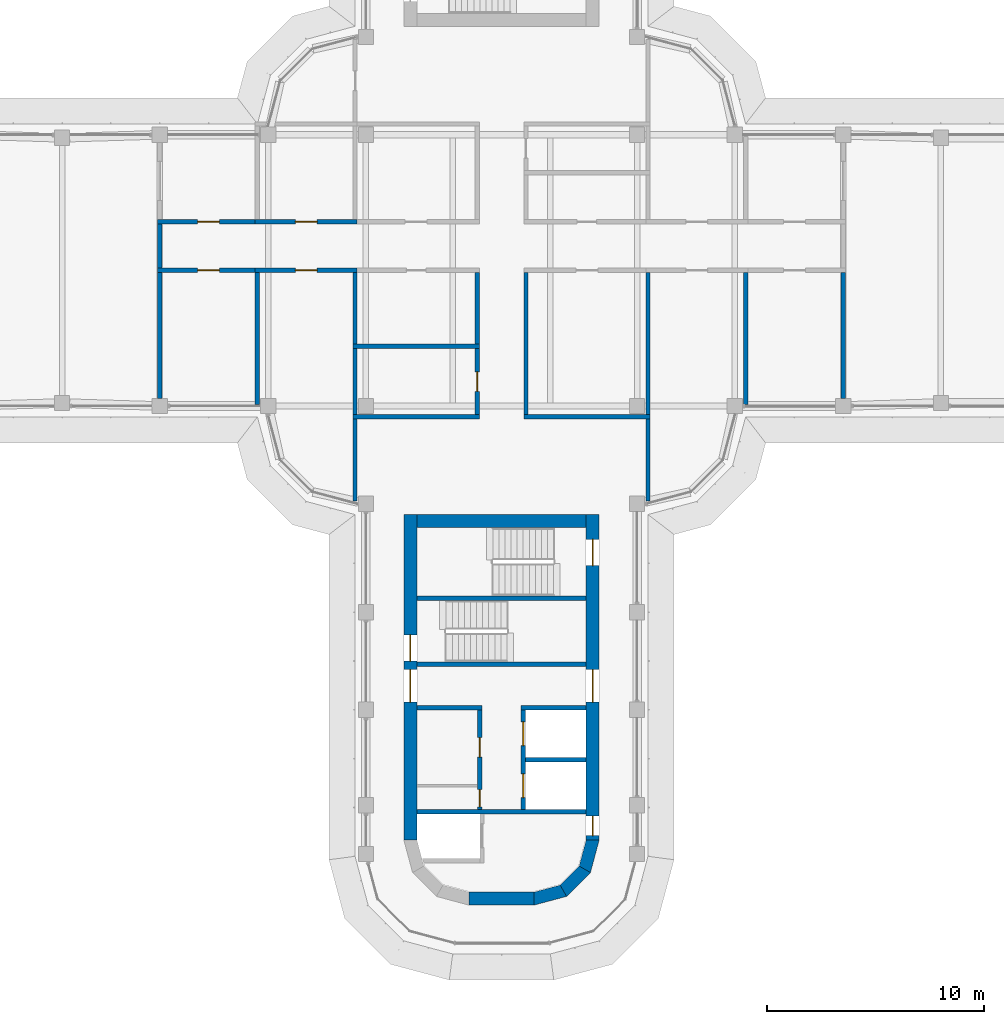
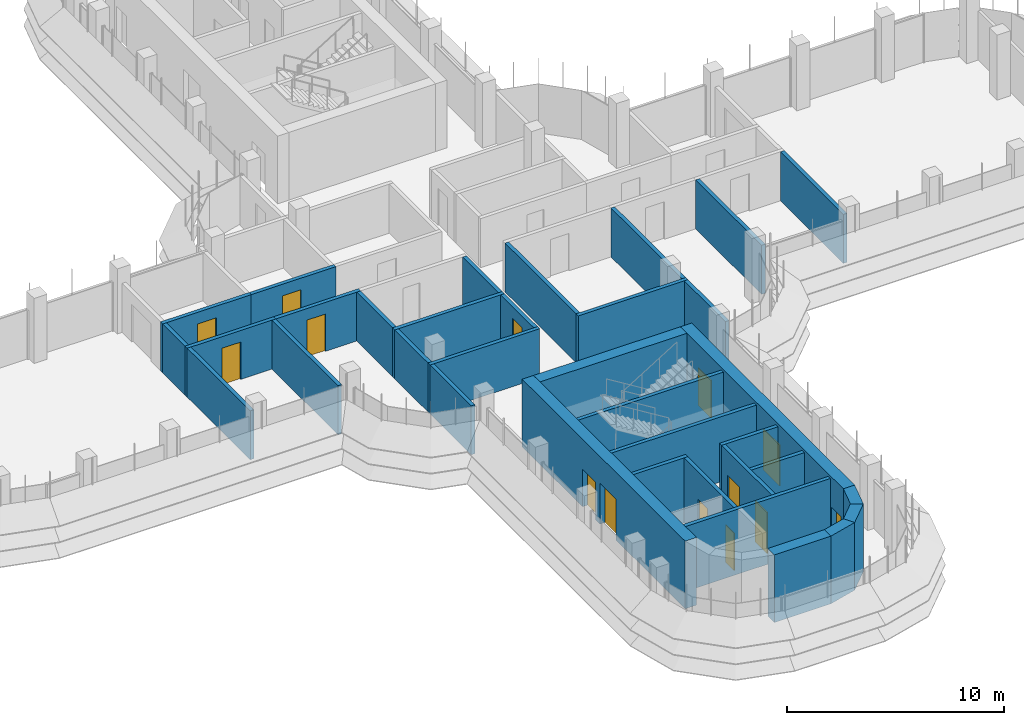
# One storey, part 13 of 18: 35 walls, 14 doors, 14 openings.
"""IFC4 building model written with IfcOpenShell, lengths in metres."""

from ifc_helpers import new_model, si_unit, direction, frame, frame_2d, origin, place, context, subcontext, project, spatial, polyline, rectangle, outline, extrude, material, layer, layer_set, type_object, element, fill, save


model = new_model("IFC4")

# Units and contexts
model_context = context("Model", 3, precision=1e-05, world=origin(), true_north=direction((0.0, 1.0)))
body_context = subcontext(model_context, "Body", "Model", "MODEL_VIEW")
ifc_project = project(units=[si_unit("LENGTHUNIT", "METRE"), si_unit("AREAUNIT", "SQUARE_METRE"), si_unit("VOLUMEUNIT", "CUBIC_METRE"), si_unit("PLANEANGLEUNIT", "RADIAN"), si_unit("MASSUNIT", "GRAM", prefix="KILO")], contexts=[model_context])

# Site, building, storey
site_placement = place(None, origin())
site = spatial("IfcSite", under=ifc_project, at=site_placement, CompositionType="ELEMENT")
building_placement = place(site_placement, origin())
building = spatial("IfcBuilding", under=site, at=building_placement, Name="Zarbagh Exchange Tower", CompositionType="ELEMENT")
storey_placement = place(building_placement, frame((0.0, 0.0, 210.60009765625)))
storey = spatial("IfcBuildingStorey", under=building, at=storey_placement, Name="L51", CompositionType="ELEMENT", Elevation=210.60009765625)

# Wall, opening, door
ifc_material_1 = material(Name="Fire-rated plasterboard partition")
ifc_layer_1 = layer(ifc_material_1, 0.199951171875)
ifc_layer_set_1 = layer_set([ifc_layer_1], Name="RATED PARTITION 200")
wall_type_1 = type_object("IfcWallType", Name="RATED PARTITION 200", PredefinedType="PARTITIONING", material=ifc_layer_set_1)
wall_1_placement = place(storey_placement, frame((-11.35009765625, 2.25, 0.0), z_axis=(0.0, 0.0, 1.0), x_axis=(1.0, 0.0, 0.0)))
wall_1 = element("IfcWall", 1, at=wall_1_placement, inside=storey, type_object=wall_type_1, Name="Partition W-2204", PredefinedType="PARTITIONING", context=body_context, shape_type="SweptSolid", body=[
    extrude(rectangle(XDim=4.7001953125, YDim=0.199951171875, at=frame_2d((2.35009765625, 0.0))), origin(), (0.0, 0.0, 1.0), 2.75),
])
opening_1_placement = place(wall_1_placement, frame((1.85009765625, 0.0, 0.0)))
opening_1 = element("IfcOpeningElement", 2, at=opening_1_placement, cuts=wall_1, Name="Opening D-2209", PredefinedType="OPENING", context=body_context, shape_type="SweptSolid", body=[
    extrude(rectangle(XDim=1.0, YDim=2.10009765625, at=frame_2d((0.5, 1.050048828125))), frame((0.0, 0.10986328125, 0.0), z_axis=(0.0, -1.0, 0.0), x_axis=(1.0, 0.0, 0.0)), (0.0, 0.0, 1.0), 0.219970703125),
])
ifc_material_2 = material(Name="Steel door set", Category="steel")
door_type_1 = type_object("IfcDoorType", Name="FIRE DOOR 1000 X 2100 FD30S", OperationType="NOTDEFINED", PredefinedType="DOOR", material=ifc_material_2)
door_1_placement = place(opening_1_placement, origin())
door_1 = element("IfcDoor", 3, at=door_1_placement, inside=storey, type_object=door_type_1, Name="Door D-2209", OperationType="SINGLE_SWING_RIGHT", OverallHeight=2.10009765625, OverallWidth=1.0, PredefinedType="DOOR", context=body_context, shape_type="SweptSolid", body=[
    extrude(rectangle(XDim=1.0, YDim=2.10009765625, at=frame_2d((0.5, 1.050048828125))), frame((0.0, 0.02490234375, 0.0), z_axis=(0.0, -1.0, 0.0), x_axis=(1.0, 0.0, 0.0)), (0.0, 0.0, 1.0), 0.050048828125),
])
fill(opening_1, door_1)

wall_2_placement = place(storey_placement, frame((-6.64990234375, 0.0, 0.0), z_axis=(0.0, 0.0, 1.0), x_axis=(-1.0, 0.0, 0.0)))
wall_2 = element("IfcWall", 4, at=wall_2_placement, inside=storey, type_object=wall_type_1, Name="Partition W-2208", PredefinedType="PARTITIONING", context=body_context, shape_type="SweptSolid", body=[
    extrude(rectangle(XDim=4.7001953125, YDim=0.199951171875, at=frame_2d((2.35009765625, 0.0))), origin(), (0.0, 0.0, 1.0), 2.75),
])
opening_2_placement = place(wall_2_placement, frame((1.85009765625, 0.0, 0.0)))
opening_2 = element("IfcOpeningElement", 5, at=opening_2_placement, cuts=wall_2, Name="Opening D-2215", PredefinedType="OPENING", context=body_context, shape_type="SweptSolid", body=[
    extrude(rectangle(XDim=1.0, YDim=2.10009765625, at=frame_2d((0.5, 1.050048828125))), frame((0.0, 0.10986328125, 0.0), z_axis=(0.0, -1.0, 0.0), x_axis=(1.0, 0.0, 0.0)), (0.0, 0.0, 1.0), 0.219970703125),
])
door_2_placement = place(opening_2_placement, origin())
door_2 = element("IfcDoor", 6, at=door_2_placement, inside=storey, type_object=door_type_1, Name="Door D-2215", OperationType="SINGLE_SWING_RIGHT", OverallHeight=2.10009765625, OverallWidth=1.0, PredefinedType="DOOR", context=body_context, shape_type="SweptSolid", body=[
    extrude(rectangle(XDim=1.0, YDim=2.10009765625, at=frame_2d((0.5, 1.050048828125))), frame((0.0, 0.02490234375, 0.0), z_axis=(0.0, -1.0, 0.0), x_axis=(1.0, 0.0, 0.0)), (0.0, 0.0, 1.0), 0.050048828125),
])
fill(opening_2, door_2)

wall_3_placement = place(storey_placement, frame((-15.85009765625, 2.25, 0.0), z_axis=(0.0, 0.0, 1.0), x_axis=(1.0, 0.0, 0.0)))
wall_3 = element("IfcWall", 7, at=wall_3_placement, inside=storey, type_object=wall_type_1, Name="Partition W-2212", PredefinedType="PARTITIONING", context=body_context, shape_type="SweptSolid", body=[
    extrude(rectangle(XDim=4.7001953125, YDim=0.199951171875, at=frame_2d((2.35009765625, 0.0))), origin(), (0.0, 0.0, 1.0), 2.75),
])
opening_3_placement = place(wall_3_placement, frame((1.85009765625, 0.0, 0.0)))
opening_3 = element("IfcOpeningElement", 8, at=opening_3_placement, cuts=wall_3, Name="Opening D-2217", PredefinedType="OPENING", context=body_context, shape_type="SweptSolid", body=[
    extrude(rectangle(XDim=1.0, YDim=2.10009765625, at=frame_2d((0.5, 1.050048828125))), frame((0.0, 0.10986328125, 0.0), z_axis=(0.0, -1.0, 0.0), x_axis=(1.0, 0.0, 0.0)), (0.0, 0.0, 1.0), 0.219970703125),
])
door_3_placement = place(opening_3_placement, origin())
door_3 = element("IfcDoor", 9, at=door_3_placement, inside=storey, type_object=door_type_1, Name="Door D-2217", OperationType="SINGLE_SWING_RIGHT", OverallHeight=2.10009765625, OverallWidth=1.0, PredefinedType="DOOR", context=body_context, shape_type="SweptSolid", body=[
    extrude(rectangle(XDim=1.0, YDim=2.10009765625, at=frame_2d((0.5, 1.050048828125))), frame((0.0, 0.02490234375, 0.0), z_axis=(0.0, -1.0, 0.0), x_axis=(1.0, 0.0, 0.0)), (0.0, 0.0, 1.0), 0.050048828125),
])
fill(opening_3, door_3)

wall_4_placement = place(storey_placement, frame((-11.14990234375, 0.0, 0.0), z_axis=(0.0, 0.0, 1.0), x_axis=(-1.0, 0.0, 0.0)))
wall_4 = element("IfcWall", 10, at=wall_4_placement, inside=storey, type_object=wall_type_1, Name="Partition W-2213", PredefinedType="PARTITIONING", context=body_context, shape_type="SweptSolid", body=[
    extrude(rectangle(XDim=4.7001953125, YDim=0.199951171875, at=frame_2d((2.35009765625, 0.0))), origin(), (0.0, 0.0, 1.0), 2.75),
])
opening_4_placement = place(wall_4_placement, frame((1.85009765625, 0.0, 0.0)))
opening_4 = element("IfcOpeningElement", 11, at=opening_4_placement, cuts=wall_4, Name="Opening D-2218", PredefinedType="OPENING", context=body_context, shape_type="SweptSolid", body=[
    extrude(rectangle(XDim=1.0, YDim=2.10009765625, at=frame_2d((0.5, 1.050048828125))), frame((0.0, 0.10986328125, 0.0), z_axis=(0.0, -1.0, 0.0), x_axis=(1.0, 0.0, 0.0)), (0.0, 0.0, 1.0), 0.219970703125),
])
door_4_placement = place(opening_4_placement, origin())
door_4 = element("IfcDoor", 12, at=door_4_placement, inside=storey, type_object=door_type_1, Name="Door D-2218", OperationType="SINGLE_SWING_RIGHT", OverallHeight=2.10009765625, OverallWidth=1.0, PredefinedType="DOOR", context=body_context, shape_type="SweptSolid", body=[
    extrude(rectangle(XDim=1.0, YDim=2.10009765625, at=frame_2d((0.5, 1.050048828125))), frame((0.0, 0.02490234375, 0.0), z_axis=(0.0, -1.0, 0.0), x_axis=(1.0, 0.0, 0.0)), (0.0, 0.0, 1.0), 0.050048828125),
])
fill(opening_4, door_4)

# Walls
wall_5_placement = place(storey_placement, frame((-15.75, 0.10009765625, 0.0), z_axis=(0.0, 0.0, 1.0), x_axis=(0.0, 1.0, 0.0)))
element("IfcWall", 13, at=wall_5_placement, inside=storey, type_object=wall_type_1, Name="Partition W-2214", PredefinedType="PARTITIONING", context=body_context, shape_type="SweptSolid", body=[
    extrude(rectangle(XDim=2.0498046875, YDim=0.199951171875, at=frame_2d((1.02490234375, 0.0))), origin(), (0.0, 0.0, 1.0), 2.75),
])
wall_6_placement = place(storey_placement, frame((1.125, -6.64990234375, 0.0), z_axis=(0.0, 0.0, 1.0), x_axis=(0.0, 1.0, 0.0)))
element("IfcWall", 14, at=wall_6_placement, inside=storey, type_object=wall_type_1, Name="Partition W-2218", PredefinedType="PARTITIONING", context=body_context, shape_type="SweptSolid", body=[
    extrude(rectangle(XDim=6.5498046875, YDim=0.199951171875, at=frame_2d((3.27490234375, 0.0))), origin(), (0.0, 0.0, 1.0), 2.75),
])
wall_7_placement = place(storey_placement, frame((-1.125, -3.39990234375, 0.0), z_axis=(0.0, 0.0, 1.0), x_axis=(0.0, 1.0, 0.0)))
element("IfcWall", 15, at=wall_7_placement, inside=storey, type_object=wall_type_1, Name="Partition W-2219", PredefinedType="PARTITIONING", context=body_context, shape_type="SweptSolid", body=[
    extrude(rectangle(XDim=3.2998046875, YDim=0.199951171875, at=frame_2d((1.64990234375, 0.0))), origin(), (0.0, 0.0, 1.0), 2.75),
])

# Wall, opening, door
wall_8_placement = place(storey_placement, frame((-1.125, -6.64990234375, 0.0), z_axis=(0.0, 0.0, 1.0), x_axis=(0.0, 1.0, 0.0)))
wall_8 = element("IfcWall", 16, at=wall_8_placement, inside=storey, type_object=wall_type_1, Name="Partition W-2220", PredefinedType="PARTITIONING", context=body_context, shape_type="SweptSolid", body=[
    extrude(rectangle(XDim=3.0498046875, YDim=0.199951171875, at=frame_2d((1.52490234375, 0.0))), origin(), (0.0, 0.0, 1.0), 2.75),
])
opening_5_placement = place(wall_8_placement, frame((1.074951171875, 0.0, 0.0)))
opening_5 = element("IfcOpeningElement", 17, at=opening_5_placement, cuts=wall_8, Name="Opening D-2214", PredefinedType="OPENING", context=body_context, shape_type="SweptSolid", body=[
    extrude(rectangle(XDim=0.89990234375, YDim=2.10009765625, at=frame_2d((0.449951171875, 1.050048828125))), frame((0.0, 0.10986328125, 0.0), z_axis=(0.0, -1.0, 0.0), x_axis=(1.0, 0.0, 0.0)), (0.0, 0.0, 1.0), 0.219970703125),
])
ifc_material_3 = material(Name="Timber door leaf", Category="wood")
door_type_2 = type_object("IfcDoorType", Name="DOOR 900 X 2100", OperationType="NOTDEFINED", PredefinedType="DOOR", material=ifc_material_3)
door_5_placement = place(opening_5_placement, origin())
door_5 = element("IfcDoor", 18, at=door_5_placement, inside=storey, type_object=door_type_2, Name="Door D-2214", OperationType="SINGLE_SWING_RIGHT", OverallHeight=2.10009765625, OverallWidth=0.89990234375, PredefinedType="DOOR", context=body_context, shape_type="SweptSolid", body=[
    extrude(rectangle(XDim=0.89990234375, YDim=2.10009765625, at=frame_2d((0.449951171875, 1.050048828125))), frame((0.0, 0.02490234375, 0.0), z_axis=(0.0, -1.0, 0.0), x_axis=(1.0, 0.0, 0.0)), (0.0, 0.0, 1.0), 0.050048828125),
])
fill(opening_5, door_5)

# Walls
wall_9_placement = place(storey_placement, frame((1.02490234375, -6.75, 0.0), z_axis=(0.0, 0.0, 1.0), x_axis=(1.0, 0.0, 0.0)))
element("IfcWall", 19, at=wall_9_placement, inside=storey, type_object=wall_type_1, Name="Partition W-2225", PredefinedType="PARTITIONING", context=body_context, shape_type="SweptSolid", body=[
    extrude(rectangle(XDim=5.8251953125, YDim=0.199951171875, at=frame_2d((2.91259765625, 0.0))), origin(), (0.0, 0.0, 1.0), 2.75),
])
wall_10_placement = place(storey_placement, frame((6.75, -10.6298828125, 0.0), z_axis=(0.0, 0.0, 1.0), x_axis=(0.0, 1.0, 0.0)))
element("IfcWall", 20, at=wall_10_placement, inside=storey, type_object=wall_type_1, Name="Partition W-2226", PredefinedType="PARTITIONING", context=body_context, shape_type="SweptSolid", body=[
    extrude(rectangle(XDim=3.77978515625, YDim=0.199951171875, at=frame_2d((1.889892578125, 0.0))), origin(), (0.0, 0.0, 1.0), 2.75),
])
wall_11_placement = place(storey_placement, frame((-6.85009765625, -6.75, 0.0), z_axis=(0.0, 0.0, 1.0), x_axis=(1.0, 0.0, 0.0)))
element("IfcWall", 21, at=wall_11_placement, inside=storey, type_object=wall_type_1, Name="Partition W-2227", PredefinedType="PARTITIONING", context=body_context, shape_type="SweptSolid", body=[
    extrude(rectangle(XDim=5.8251953125, YDim=0.199951171875, at=frame_2d((2.91259765625, 0.0))), origin(), (0.0, 0.0, 1.0), 2.75),
])
wall_12_placement = place(storey_placement, frame((-6.75, -10.6298828125, 0.0), z_axis=(0.0, 0.0, 1.0), x_axis=(0.0, 1.0, 0.0)))
element("IfcWall", 22, at=wall_12_placement, inside=storey, type_object=wall_type_1, Name="Partition W-2228", PredefinedType="PARTITIONING", context=body_context, shape_type="SweptSolid", body=[
    extrude(rectangle(XDim=3.77978515625, YDim=0.199951171875, at=frame_2d((1.889892578125, 0.0))), origin(), (0.0, 0.0, 1.0), 2.75),
])
wall_13_placement = place(storey_placement, frame((6.75, -6.64990234375, 0.0), z_axis=(0.0, 0.0, 1.0), x_axis=(0.0, 1.0, 0.0)))
element("IfcWall", 23, at=wall_13_placement, inside=storey, type_object=wall_type_1, Name="Partition W-2236", PredefinedType="PARTITIONING", context=body_context, shape_type="SweptSolid", body=[
    extrude(rectangle(XDim=6.5498046875, YDim=0.199951171875, at=frame_2d((3.27490234375, 0.0))), origin(), (0.0, 0.0, 1.0), 2.75),
])
wall_14_placement = place(storey_placement, frame((11.25, -6.169921875, 0.0), z_axis=(0.0, 0.0, 1.0), x_axis=(0.0, 1.0, 0.0)))
element("IfcWall", 24, at=wall_14_placement, inside=storey, type_object=wall_type_1, Name="Partition W-2237", PredefinedType="PARTITIONING", context=body_context, shape_type="SweptSolid", body=[
    extrude(rectangle(XDim=6.06982421875, YDim=0.199951171875, at=frame_2d((3.034912109375, 0.0))), origin(), (0.0, 0.0, 1.0), 2.75),
])
wall_15_placement = place(storey_placement, frame((-6.85009765625, -3.5, 0.0), z_axis=(0.0, 0.0, 1.0), x_axis=(1.0, 0.0, 0.0)))
element("IfcWall", 25, at=wall_15_placement, inside=storey, type_object=wall_type_1, Name="Partition W-2238", PredefinedType="PARTITIONING", context=body_context, shape_type="SweptSolid", body=[
    extrude(rectangle(XDim=5.8251953125, YDim=0.199951171875, at=frame_2d((2.91259765625, 0.0))), origin(), (0.0, 0.0, 1.0), 2.75),
])
wall_16_placement = place(storey_placement, frame((-6.75, -3.39990234375, 0.0), z_axis=(0.0, 0.0, 1.0), x_axis=(0.0, 1.0, 0.0)))
element("IfcWall", 26, at=wall_16_placement, inside=storey, type_object=wall_type_1, Name="Partition W-2239", PredefinedType="PARTITIONING", context=body_context, shape_type="SweptSolid", body=[
    extrude(rectangle(XDim=3.2998046875, YDim=0.199951171875, at=frame_2d((1.64990234375, 0.0))), origin(), (0.0, 0.0, 1.0), 2.75),
])
wall_17_placement = place(storey_placement, frame((-6.75, -6.64990234375, 0.0), z_axis=(0.0, 0.0, 1.0), x_axis=(0.0, 1.0, 0.0)))
element("IfcWall", 27, at=wall_17_placement, inside=storey, type_object=wall_type_1, Name="Partition W-2240", PredefinedType="PARTITIONING", context=body_context, shape_type="SweptSolid", body=[
    extrude(rectangle(XDim=3.0498046875, YDim=0.199951171875, at=frame_2d((1.52490234375, 0.0))), origin(), (0.0, 0.0, 1.0), 2.75),
])
wall_18_placement = place(storey_placement, frame((-11.25, -6.169921875, 0.0), z_axis=(0.0, 0.0, 1.0), x_axis=(0.0, 1.0, 0.0)))
element("IfcWall", 28, at=wall_18_placement, inside=storey, type_object=wall_type_1, Name="Partition W-2241", PredefinedType="PARTITIONING", context=body_context, shape_type="SweptSolid", body=[
    extrude(rectangle(XDim=6.06982421875, YDim=0.199951171875, at=frame_2d((3.034912109375, 0.0))), origin(), (0.0, 0.0, 1.0), 2.75),
])
for number, where, z_axis, x_axis, name in (
    (29, (15.75, -5.89990234375, 0.0), (0.0, 0.0, 1.0), (0.0, 1.0, 0.0), "Partition W-2243"),
    (30, (-15.75, -5.89990234375, 0.0), (0.0, 0.0, 1.0), (0.0, 1.0, 0.0), "Partition W-2246"),
):
    element("IfcWall", number, at=place(storey_placement, frame(where, z_axis=z_axis, x_axis=x_axis)), inside=storey, type_object=wall_type_1, Name=name, PredefinedType="PARTITIONING", context=body_context, shape_type="SweptSolid", body=[
        extrude(rectangle(XDim=5.7998046875, YDim=0.199951171875, at=frame_2d((2.89990234375, 0.0))), origin(), (0.0, 0.0, 1.0), 2.75),
    ])
ifc_material_4 = material(Name="Concrete C50/60", Category="concrete")
ifc_layer_2 = layer(ifc_material_4, 0.60009765625)
ifc_layer_set_2 = layer_set([ifc_layer_2], Name="RC core corner wall 600 C50/60")
wall_type_2 = type_object("IfcWallType", Name="RC core corner wall 600 C50/60", PredefinedType="SHEAR", material=ifc_layer_set_2)
wall_19_placement = place(storey_placement, origin())
element("IfcWall", 31, at=wall_19_placement, inside=storey, type_object=wall_type_2, Name="CW8 core S corner E", PredefinedType="SHEAR", context=body_context, shape_type="SweptSolid", body=[
    extrude(outline(polyline([(4.5, -26.25), (4.09814453125, -27.75), (3.57861328125, -27.449951171875), (3.89990234375, -26.25), (4.5, -26.25)])), origin(), (0.0, 0.0, 1.0), 3.7998046875),
])
wall_20_placement = place(storey_placement, origin())
element("IfcWall", 32, at=wall_20_placement, inside=storey, type_object=wall_type_2, Name="CW8 core S corner E", PredefinedType="SHEAR", context=body_context, shape_type="SweptSolid", body=[
    extrude(outline(polyline([(4.09814453125, -27.75), (3.0, -28.84814453125), (2.699951171875, -28.32861328125), (3.57861328125, -27.449951171875), (4.09814453125, -27.75)])), origin(), (0.0, 0.0, 1.0), 3.7998046875),
])
wall_21_placement = place(storey_placement, origin())
element("IfcWall", 33, at=wall_21_placement, inside=storey, type_object=wall_type_2, Name="CW8 core S corner E", PredefinedType="SHEAR", context=body_context, shape_type="SweptSolid", body=[
    extrude(outline(polyline([(3.0, -28.84814453125), (1.5, -29.25), (1.5, -28.64990234375), (2.699951171875, -28.32861328125), (3.0, -28.84814453125)])), origin(), (0.0, 0.0, 1.0), 3.7998046875),
])

# Wall, openings, doors
ifc_layer_3 = layer(ifc_material_4, 0.60009765625)
ifc_layer_set_3 = layer_set([ifc_layer_3], Name="RC core wall 600 C50/60")
wall_type_3 = type_object("IfcWallType", Name="RC core wall 600 C50/60", PredefinedType="SHEAR", material=ifc_layer_set_3)
wall_22_placement = place(storey_placement, frame((-4.199951171875, -11.25, 0.0), z_axis=(0.0, 0.0, 1.0), x_axis=(0.0, -1.0, 0.0)))
wall_22 = element("IfcWall", 34, at=wall_22_placement, inside=storey, type_object=wall_type_3, Name="CW7 core S W", PredefinedType="SHEAR", context=body_context, shape_type="SweptSolid", body=[
    extrude(rectangle(XDim=15.0, YDim=0.60009765625, at=frame_2d((7.5, 0.0))), origin(), (0.0, 0.0, 1.0), 3.7998046875),
])
opening_6_placement = place(wall_22_placement, frame((7.14990234375, 0.0, 0.0)))
opening_6 = element("IfcOpeningElement", 35, at=opening_6_placement, cuts=wall_22, Name="Opening CD1-1500", PredefinedType="OPENING", context=body_context, shape_type="SweptSolid", body=[
    extrude(rectangle(XDim=1.5, YDim=2.300048828125, at=frame_2d((0.75, 1.14990234375))), frame((0.0, 0.31005859375, 0.0), z_axis=(0.0, -1.0, 0.0), x_axis=(1.0, 0.0, 0.0)), (0.0, 0.0, 1.0), 0.6201171875),
])
opening_7_placement = place(wall_22_placement, frame((5.550048828125, 0.0, 0.0)))
opening_7 = element("IfcOpeningElement", 36, at=opening_7_placement, cuts=wall_22, Name="Opening SD1-1200", PredefinedType="OPENING", context=body_context, shape_type="SweptSolid", body=[
    extrude(rectangle(XDim=1.199951171875, YDim=2.10009765625, at=frame_2d((0.60009765625, 1.050048828125))), frame((0.0, 0.31005859375, 0.0), z_axis=(0.0, -1.0, 0.0), x_axis=(1.0, 0.0, 0.0)), (0.0, 0.0, 1.0), 0.6201171875),
])
ifc_material_5 = material(Name="Steel", Category="steel")
door_type_3 = type_object("IfcDoorType", Name="Exit stair door 1200 x 2100", OperationType="NOTDEFINED", PredefinedType="DOOR", material=ifc_material_5)
door_6_placement = place(opening_7_placement, origin())
door_6 = element("IfcDoor", 37, at=door_6_placement, inside=storey, type_object=door_type_3, Name="South core stair door ST1", OperationType="SINGLE_SWING_LEFT", OverallHeight=2.10009765625, OverallWidth=1.199951171875, PredefinedType="DOOR", context=body_context, shape_type="SweptSolid", body=[
    extrude(rectangle(XDim=1.199951171875, YDim=2.10009765625, at=frame_2d((0.60009765625, 1.050048828125))), frame((0.0, 0.02490234375, 0.0), z_axis=(0.0, -1.0, 0.0), x_axis=(1.0, 0.0, 0.0)), (0.0, 0.0, 1.0), 0.050048828125),
])
fill(opening_7, door_6)
door_type_4 = type_object("IfcDoorType", Name="Lift lobby double door 1500 x 2300", OperationType="NOTDEFINED", PredefinedType="DOOR", material=ifc_material_5)
door_7_placement = place(opening_6_placement, origin())
door_7 = element("IfcDoor", 38, at=door_7_placement, inside=storey, type_object=door_type_4, Name="South core lift lobby door LOBBY-E", OperationType="DOUBLE_DOOR_SINGLE_SWING", OverallHeight=2.300048828125, OverallWidth=1.5, PredefinedType="DOOR", context=body_context, shape_type="SweptSolid", body=[
    extrude(rectangle(XDim=1.5, YDim=2.300048828125, at=frame_2d((0.75, 1.14990234375))), frame((0.0, 0.02490234375, 0.0), z_axis=(0.0, -1.0, 0.0), x_axis=(1.0, 0.0, 0.0)), (0.0, 0.0, 1.0), 0.050048828125),
])
fill(opening_6, door_7)

wall_23_placement = place(storey_placement, frame((4.199951171875, -11.25, 0.0), z_axis=(0.0, 0.0, 1.0), x_axis=(0.0, -1.0, 0.0)))
wall_23 = element("IfcWall", 39, at=wall_23_placement, inside=storey, type_object=wall_type_3, Name="CW7 core S E", PredefinedType="SHEAR", context=body_context, shape_type="SweptSolid", body=[
    extrude(rectangle(XDim=15.0, YDim=0.60009765625, at=frame_2d((7.5, 0.0))), origin(), (0.0, 0.0, 1.0), 3.7998046875),
])
opening_8_placement = place(wall_23_placement, frame((7.14990234375, 0.0, 0.0)))
opening_8 = element("IfcOpeningElement", 40, at=opening_8_placement, cuts=wall_23, Name="Opening CD1-1500", PredefinedType="OPENING", context=body_context, shape_type="SweptSolid", body=[
    extrude(rectangle(XDim=1.5, YDim=2.300048828125, at=frame_2d((0.75, 1.14990234375))), frame((0.0, 0.31005859375, 0.0), z_axis=(0.0, -1.0, 0.0), x_axis=(1.0, 0.0, 0.0)), (0.0, 0.0, 1.0), 0.6201171875),
])
opening_9_placement = place(wall_23_placement, frame((13.89990234375, 0.0, 0.0)))
opening_9 = element("IfcOpeningElement", 41, at=opening_9_placement, cuts=wall_23, Name="Opening CD2-900", PredefinedType="OPENING", context=body_context, shape_type="SweptSolid", body=[
    extrude(rectangle(XDim=0.89990234375, YDim=2.10009765625, at=frame_2d((0.449951171875, 1.050048828125))), frame((0.0, 0.31005859375, 0.0), z_axis=(0.0, -1.0, 0.0), x_axis=(1.0, 0.0, 0.0)), (0.0, 0.0, 1.0), 0.6201171875),
])
opening_10_placement = place(wall_23_placement, frame((1.14990234375, 0.0, 0.0)))
opening_10 = element("IfcOpeningElement", 42, at=opening_10_placement, cuts=wall_23, Name="Opening SD1-1200", PredefinedType="OPENING", context=body_context, shape_type="SweptSolid", body=[
    extrude(rectangle(XDim=1.199951171875, YDim=2.10009765625, at=frame_2d((0.60009765625, 1.050048828125))), frame((0.0, 0.31005859375, 0.0), z_axis=(0.0, -1.0, 0.0), x_axis=(1.0, 0.0, 0.0)), (0.0, 0.0, 1.0), 0.6201171875),
])
door_8_placement = place(opening_10_placement, origin())
door_8 = element("IfcDoor", 43, at=door_8_placement, inside=storey, type_object=door_type_3, Name="South core stair door ST2", OperationType="SINGLE_SWING_RIGHT", OverallHeight=2.10009765625, OverallWidth=1.199951171875, PredefinedType="DOOR", context=body_context, shape_type="SweptSolid", body=[
    extrude(rectangle(XDim=1.199951171875, YDim=2.10009765625, at=frame_2d((0.60009765625, 1.050048828125))), frame((0.0, 0.02490234375, 0.0), z_axis=(0.0, -1.0, 0.0), x_axis=(1.0, 0.0, 0.0)), (0.0, 0.0, 1.0), 0.050048828125),
])
fill(opening_10, door_8)
door_type_5 = type_object("IfcDoorType", Name="Firefighting lobby door 900 x 2100", OperationType="NOTDEFINED", PredefinedType="DOOR", material=ifc_material_5)
door_9_placement = place(opening_9_placement, origin())
door_9 = element("IfcDoor", 44, at=door_9_placement, inside=storey, type_object=door_type_5, Name="South core firefighting lobby door FF-W", OperationType="SINGLE_SWING_LEFT", OverallHeight=2.10009765625, OverallWidth=0.89990234375, PredefinedType="DOOR", context=body_context, shape_type="SweptSolid", body=[
    extrude(rectangle(XDim=0.89990234375, YDim=2.10009765625, at=frame_2d((0.449951171875, 1.050048828125))), frame((0.0, 0.02490234375, 0.0), z_axis=(0.0, -1.0, 0.0), x_axis=(1.0, 0.0, 0.0)), (0.0, 0.0, 1.0), 0.050048828125),
])
fill(opening_9, door_9)
door_10_placement = place(opening_8_placement, origin())
door_10 = element("IfcDoor", 45, at=door_10_placement, inside=storey, type_object=door_type_4, Name="South core lift lobby door LOBBY-W", OperationType="DOUBLE_DOOR_SINGLE_SWING", OverallHeight=2.300048828125, OverallWidth=1.5, PredefinedType="DOOR", context=body_context, shape_type="SweptSolid", body=[
    extrude(rectangle(XDim=1.5, YDim=2.300048828125, at=frame_2d((0.75, 1.14990234375))), frame((0.0, 0.02490234375, 0.0), z_axis=(0.0, -1.0, 0.0), x_axis=(1.0, 0.0, 0.0)), (0.0, 0.0, 1.0), 0.050048828125),
])
fill(opening_8, door_10)

# Walls
wall_24_placement = place(storey_placement, frame((-3.89990234375, -11.550048828125, 0.0), z_axis=(0.0, 0.0, 1.0), x_axis=(1.0, 0.0, 0.0)))
element("IfcWall", 46, at=wall_24_placement, inside=storey, type_object=wall_type_3, Name="CW7 core S inner end", PredefinedType="SHEAR", context=body_context, shape_type="SweptSolid", body=[
    extrude(rectangle(XDim=7.7998046875, YDim=0.60009765625, at=frame_2d((3.89990234375, 0.0))), origin(), (0.0, 0.0, 1.0), 3.7998046875),
])
wall_25_placement = place(storey_placement, frame((-1.5, -28.949951171875, 0.0), z_axis=(0.0, 0.0, 1.0), x_axis=(1.0, 0.0, 0.0)))
element("IfcWall", 47, at=wall_25_placement, inside=storey, type_object=wall_type_3, Name="CW7 core S outer end", PredefinedType="SHEAR", context=body_context, shape_type="SweptSolid", body=[
    extrude(rectangle(XDim=3.0, YDim=0.60009765625, at=frame_2d((1.5, 0.0))), origin(), (0.0, 0.0, 1.0), 3.7998046875),
])
ifc_material_6 = material(Name="Dense blockwork", Category="masonry")
ifc_layer_4 = layer(ifc_material_6, 0.199951171875)
ifc_layer_set_4 = layer_set([ifc_layer_4], Name="Shaft wall 200 mm blockwork")
wall_type_4 = type_object("IfcWallType", Name="Shaft wall 200 mm blockwork", PredefinedType="PARTITIONING", material=ifc_layer_set_4)
wall_26_placement = place(storey_placement, frame((3.89990234375, -20.14990234375, 0.0), z_axis=(0.0, 0.0, 1.0), x_axis=(-1.0, 0.0, 0.0)))
element("IfcWall", 48, at=wall_26_placement, inside=storey, type_object=wall_type_4, Name="South core shaft wall AB-W", PredefinedType="PARTITIONING", context=body_context, shape_type="SweptSolid", body=[
    extrude(rectangle(XDim=3.0, YDim=0.199951171875, at=frame_2d((1.5, 0.0))), origin(), (0.0, 0.0, 1.0), 3.64990234375),
])

# Wall, openings, doors
wall_27_placement = place(storey_placement, frame((1.0, -24.85009765625, 0.0), z_axis=(0.0, 0.0, 1.0), x_axis=(0.0, 1.0, 0.0)))
wall_27 = element("IfcWall", 49, at=wall_27_placement, inside=storey, type_object=wall_type_4, Name="South core shaft wall LW-W", PredefinedType="PARTITIONING", context=body_context, shape_type="SweptSolid", body=[
    extrude(rectangle(XDim=4.60009765625, YDim=0.199951171875, at=frame_2d((2.300048828125, 0.0))), origin(), (0.0, 0.0, 1.0), 3.64990234375),
])
opening_11_placement = place(wall_27_placement, frame((0.550048828125, 0.0, 0.0)))
opening_11 = element("IfcOpeningElement", 50, at=opening_11_placement, cuts=wall_27, Name="Opening LD-1100", PredefinedType="OPENING", context=body_context, shape_type="SweptSolid", body=[
    extrude(rectangle(XDim=1.10009765625, YDim=2.300048828125, at=frame_2d((0.550048828125, 1.14990234375))), frame((0.0, 0.10986328125, 0.0), z_axis=(0.0, -1.0, 0.0), x_axis=(1.0, 0.0, 0.0)), (0.0, 0.0, 1.0), 0.219970703125),
])
opening_12_placement = place(wall_27_placement, frame((2.949951171875, 0.0, 0.0)))
opening_12 = element("IfcOpeningElement", 51, at=opening_12_placement, cuts=wall_27, Name="Opening LD-1100", PredefinedType="OPENING", context=body_context, shape_type="SweptSolid", body=[
    extrude(rectangle(XDim=1.10009765625, YDim=2.300048828125, at=frame_2d((0.550048828125, 1.14990234375))), frame((0.0, 0.10986328125, 0.0), z_axis=(0.0, -1.0, 0.0), x_axis=(1.0, 0.0, 0.0)), (0.0, 0.0, 1.0), 0.219970703125),
])
ifc_material_7 = material(Name="Stainless steel", Category="steel")
door_type_6 = type_object("IfcDoorType", Name="Lift landing door 1100 x 2300", OperationType="NOTDEFINED", PredefinedType="DOOR", material=ifc_material_7)
door_11_placement = place(opening_11_placement, origin())
door_11 = element("IfcDoor", 52, at=door_11_placement, inside=storey, type_object=door_type_6, Name="South core lift landing door LD-P-S1", OperationType="DOUBLE_DOOR_SLIDING", OverallHeight=2.300048828125, OverallWidth=1.10009765625, PredefinedType="DOOR", context=body_context, shape_type="SweptSolid", body=[
    extrude(rectangle(XDim=1.10009765625, YDim=2.300048828125, at=frame_2d((0.550048828125, 1.14990234375))), frame((0.0, 0.02490234375, 0.0), z_axis=(0.0, -1.0, 0.0), x_axis=(1.0, 0.0, 0.0)), (0.0, 0.0, 1.0), 0.050048828125),
])
fill(opening_11, door_11)
door_12_placement = place(opening_12_placement, origin())
door_12 = element("IfcDoor", 53, at=door_12_placement, inside=storey, type_object=door_type_6, Name="South core lift landing door LD-P-S2", OperationType="DOUBLE_DOOR_SLIDING", OverallHeight=2.300048828125, OverallWidth=1.10009765625, PredefinedType="DOOR", context=body_context, shape_type="SweptSolid", body=[
    extrude(rectangle(XDim=1.10009765625, YDim=2.300048828125, at=frame_2d((0.550048828125, 1.14990234375))), frame((0.0, 0.02490234375, 0.0), z_axis=(0.0, -1.0, 0.0), x_axis=(1.0, 0.0, 0.0)), (0.0, 0.0, 1.0), 0.050048828125),
])
fill(opening_12, door_12)

# Wall
wall_28_placement = place(storey_placement, frame((-0.89990234375, -20.14990234375, 0.0), z_axis=(0.0, 0.0, 1.0), x_axis=(-1.0, 0.0, 0.0)))
element("IfcWall", 54, at=wall_28_placement, inside=storey, type_object=wall_type_4, Name="South core shaft wall AB-E", PredefinedType="PARTITIONING", context=body_context, shape_type="SweptSolid", body=[
    extrude(rectangle(XDim=3.0, YDim=0.199951171875, at=frame_2d((1.5, 0.0))), origin(), (0.0, 0.0, 1.0), 3.64990234375),
])

# Wall, openings, doors
wall_29_placement = place(storey_placement, frame((-1.0, -24.85009765625, 0.0), z_axis=(0.0, 0.0, 1.0), x_axis=(0.0, 1.0, 0.0)))
wall_29 = element("IfcWall", 55, at=wall_29_placement, inside=storey, type_object=wall_type_4, Name="South core shaft wall LW-E", PredefinedType="PARTITIONING", context=body_context, shape_type="SweptSolid", body=[
    extrude(rectangle(XDim=4.60009765625, YDim=0.199951171875, at=frame_2d((2.300048828125, 0.0))), origin(), (0.0, 0.0, 1.0), 3.64990234375),
])
opening_13_placement = place(wall_29_placement, frame((0.125, 0.0, 0.0)))
opening_13 = element("IfcOpeningElement", 56, at=opening_13_placement, cuts=wall_29, Name="Opening CD3-800", PredefinedType="OPENING", context=body_context, shape_type="SweptSolid", body=[
    extrude(rectangle(XDim=0.800048828125, YDim=2.10009765625, at=frame_2d((0.39990234375, 1.050048828125))), frame((0.0, 0.10986328125, 0.0), z_axis=(0.0, -1.0, 0.0), x_axis=(1.0, 0.0, 0.0)), (0.0, 0.0, 1.0), 0.219970703125),
])
opening_14_placement = place(wall_29_placement, frame((2.425048828125, 0.0, 0.0)))
opening_14 = element("IfcOpeningElement", 57, at=opening_14_placement, cuts=wall_29, Name="Opening CD3-900", PredefinedType="OPENING", context=body_context, shape_type="SweptSolid", body=[
    extrude(rectangle(XDim=0.89990234375, YDim=2.10009765625, at=frame_2d((0.449951171875, 1.050048828125))), frame((0.0, 0.10986328125, 0.0), z_axis=(0.0, -1.0, 0.0), x_axis=(1.0, 0.0, 0.0)), (0.0, 0.0, 1.0), 0.219970703125),
])
door_type_7 = type_object("IfcDoorType", Name="Core room door 800 x 2100", OperationType="NOTDEFINED", PredefinedType="DOOR", material=ifc_material_5)
door_13_placement = place(opening_13_placement, origin())
door_13 = element("IfcDoor", 58, at=door_13_placement, inside=storey, type_object=door_type_7, Name="South core Store door RD-E-0", OperationType="SINGLE_SWING_RIGHT", OverallHeight=2.10009765625, OverallWidth=0.800048828125, PredefinedType="DOOR", context=body_context, shape_type="SweptSolid", body=[
    extrude(rectangle(XDim=0.800048828125, YDim=2.10009765625, at=frame_2d((0.39990234375, 1.050048828125))), frame((0.0, 0.02490234375, 0.0), z_axis=(0.0, -1.0, 0.0), x_axis=(1.0, 0.0, 0.0)), (0.0, 0.0, 1.0), 0.050048828125),
])
fill(opening_13, door_13)
door_type_8 = type_object("IfcDoorType", Name="Core room door 900 x 2100", OperationType="NOTDEFINED", PredefinedType="DOOR", material=ifc_material_5)
door_14_placement = place(opening_14_placement, origin())
door_14 = element("IfcDoor", 59, at=door_14_placement, inside=storey, type_object=door_type_8, Name="South core Accessible WC door RD-E-1", OperationType="SINGLE_SWING_RIGHT", OverallHeight=2.10009765625, OverallWidth=0.89990234375, PredefinedType="DOOR", context=body_context, shape_type="SweptSolid", body=[
    extrude(rectangle(XDim=0.89990234375, YDim=2.10009765625, at=frame_2d((0.449951171875, 1.050048828125))), frame((0.0, 0.02490234375, 0.0), z_axis=(0.0, -1.0, 0.0), x_axis=(1.0, 0.0, 0.0)), (0.0, 0.0, 1.0), 0.050048828125),
])
fill(opening_14, door_14)

# Walls
wall_30_placement = place(storey_placement, frame((3.89990234375, -22.550048828125, 0.0), z_axis=(0.0, 0.0, 1.0), x_axis=(-1.0, 0.0, 0.0)))
element("IfcWall", 60, at=wall_30_placement, inside=storey, type_object=wall_type_4, Name="South core shaft wall TR-W", PredefinedType="PARTITIONING", context=body_context, shape_type="SweptSolid", body=[
    extrude(rectangle(XDim=2.7998046875, YDim=0.199951171875, at=frame_2d((1.39990234375, 0.0))), origin(), (0.0, 0.0, 1.0), 3.64990234375),
])
ifc_material_8 = material(Name="Concrete C40/50", Category="concrete")
ifc_layer_5 = layer(ifc_material_8, 0.199951171875)
ifc_layer_set_5 = layer_set([ifc_layer_5], Name="Stair enclosure wall 200 mm RC C40/50")
wall_type_5 = type_object("IfcWallType", Name="Stair enclosure wall 200 mm RC C40/50", PredefinedType="SHEAR", material=ifc_layer_set_5)
for number, where, z_axis, x_axis, name in (
    (61, (3.89990234375, -24.949951171875, 0.0), (0.0, 0.0, 1.0), (-1.0, 0.0, 0.0), "South core lift shaft wall FFA"),
    (62, (3.89990234375, -18.14990234375, 0.0), (0.0, 0.0, 1.0), (-1.0, 0.0, 0.0), "South core stair wall BS"),
    (63, (3.89990234375, -15.10009765625, 0.0), (0.0, 0.0, 1.0), (-1.0, 0.0, 0.0), "South core stair wall ST12"),
):
    element("IfcWall", number, at=place(storey_placement, frame(where, z_axis=z_axis, x_axis=x_axis)), inside=storey, type_object=wall_type_5, Name=name, PredefinedType="SHEAR", context=body_context, shape_type="SweptSolid", body=[
        extrude(rectangle(XDim=7.7998046875, YDim=0.199951171875, at=frame_2d((3.89990234375, 0.0))), origin(), (0.0, 0.0, 1.0), 3.64990234375),
    ])

save(model, "model.ifc")
